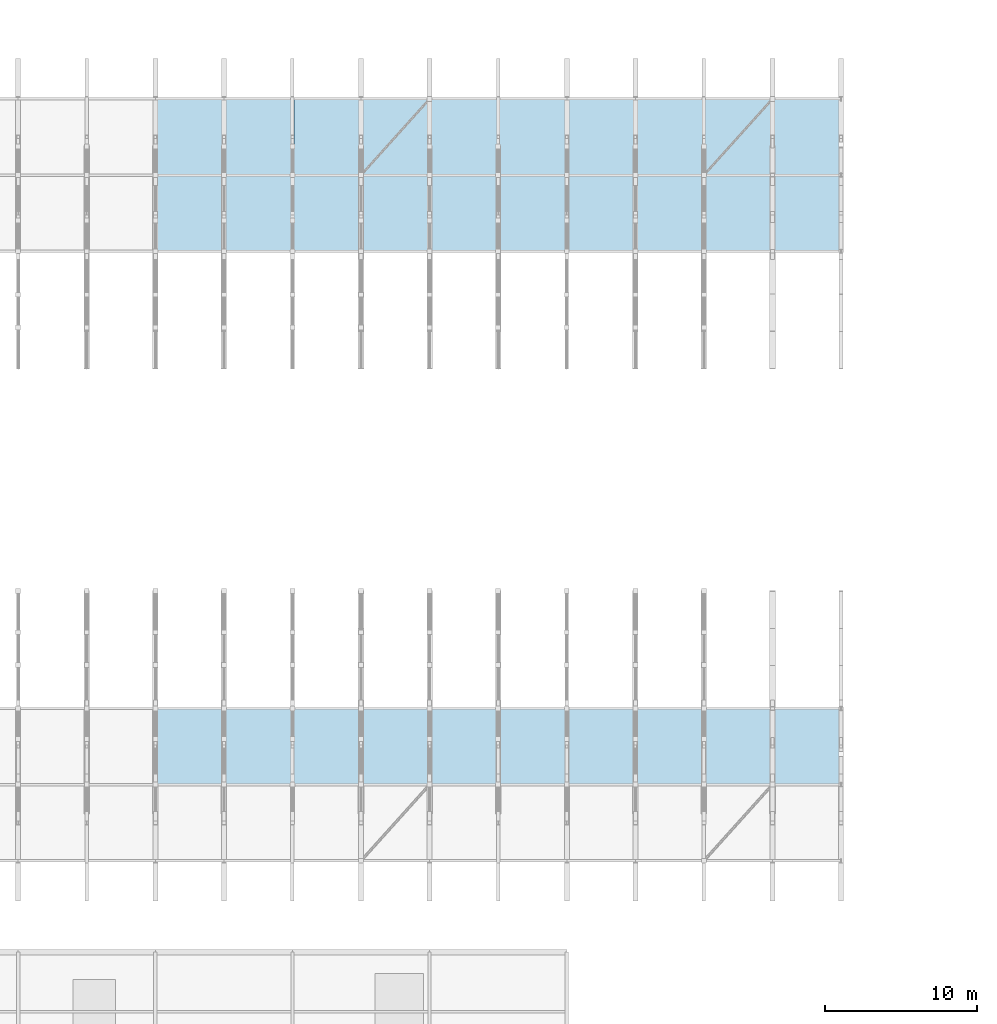
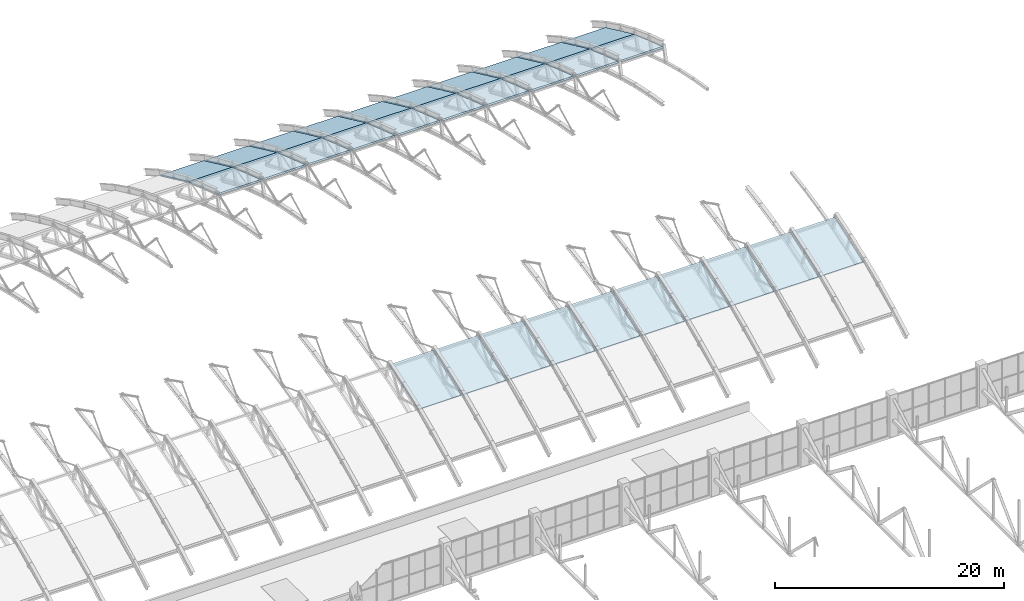
# One storey, part 88 of 103: 30 roofs.
"""IFC4 building model written with IfcOpenShell, lengths in metres."""

from ifc_helpers import new_model, si_unit, direction, frame, origin, place, context, subcontext, project, spatial, polyline, outline, extrude, material, type_object, element, save


model = new_model("IFC4")

# Units and contexts
model_context = context("Model", 3, precision=1e-05, world=origin(), true_north=direction((0.0, 1.0)))
body_context = subcontext(model_context, "Body", "Model", "MODEL_VIEW")
ifc_project = project(units=[si_unit("LENGTHUNIT", "METRE"), si_unit("AREAUNIT", "SQUARE_METRE"), si_unit("VOLUMEUNIT", "CUBIC_METRE"), si_unit("PLANEANGLEUNIT", "RADIAN"), si_unit("MASSUNIT", "GRAM", prefix="KILO")], contexts=[model_context])

# Site, building, storey
site_placement = place(None, origin())
site = spatial("IfcSite", under=ifc_project, at=site_placement, CompositionType="ELEMENT")
building_placement = place(site_placement, origin())
building = spatial("IfcBuilding", under=site, at=building_placement, Name="Cazmaro Siding Exhibition Halls", CompositionType="ELEMENT")
storey_placement = place(building_placement, frame((0.0, 0.0, 16.5)))
storey = spatial("IfcBuildingStorey", under=building, at=storey_placement, Name="L03", CompositionType="ELEMENT", Elevation=16.5)

# Roofs
ifc_material = material(Name="Standing Seam Zinc Insulated Roof Assembly", Category="steel")
roof_type = type_object("IfcRoofType", Name="RF-BARREL-01", PredefinedType="BARREL_ROOF", material=ifc_material)
for number, where, z_axis, x_axis, name in (
    (1, (126.0849609375, 74.0, 2.882080078125), (0.0, -0.327471825251, 0.94486094409), (1.0, 0.0, 0.0), "Primary Hall Standing Seam Zinc Roof Cassette RF-V1 219"),
    (2, (126.0849609375, 109.0, 4.614990234375), (0.0, 0.327471825251, 0.94486094409), (1.0, 0.0, 0.0), "Primary Hall Standing Seam Zinc Roof Cassette RF-V1 226"),
):
    element("IfcRoof", number, at=place(storey_placement, frame(where, z_axis=z_axis, x_axis=x_axis)), inside=storey, type_object=roof_type, Name=name, PredefinedType="BARREL_ROOF", context=body_context, shape_type="SweptSolid", body=[
        extrude(outline(polyline([(0.0, 0.0), (4.330078125, 0.0), (4.330078125, 5.291783972313534), (0.0, 5.291783972313534), (0.0, 0.0)])), origin(), (0.0, 0.0, -1.0), 0.159912109375),
    ])
roof_1_placement = place(storey_placement, frame((126.0849609375, 114.0, 2.882080078125), z_axis=(0.0, 0.421054050781, 0.907035548543), x_axis=(1.0, 0.0, 0.0)))
element("IfcRoof", 3, at=roof_1_placement, inside=storey, type_object=roof_type, Name="Primary Hall Standing Seam Zinc Roof Cassette RF-V1 227", PredefinedType="BARREL_ROOF", context=body_context, shape_type="SweptSolid", body=[
    extrude(outline(polyline([(0.0, 0.0), (4.330078125, 0.0), (4.330078125, 5.512463109115718), (0.0, 5.512463109115718), (0.0, 0.0)])), origin(), (0.0, 0.0, -1.0), 0.159912109375),
])
for number, where, z_axis, x_axis, name in (
    (4, (130.5849609375, 74.0, 2.882080078125), (0.0, -0.327471825251, 0.94486094409), (1.0, 0.0, 0.0), "Primary Hall Standing Seam Zinc Roof Cassette RF-V1 231"),
    (5, (130.5849609375, 109.0, 4.614990234375), (0.0, 0.327471825251, 0.94486094409), (1.0, 0.0, 0.0), "Primary Hall Standing Seam Zinc Roof Cassette RF-V1 238"),
):
    element("IfcRoof", number, at=place(storey_placement, frame(where, z_axis=z_axis, x_axis=x_axis)), inside=storey, type_object=roof_type, Name=name, PredefinedType="BARREL_ROOF", context=body_context, shape_type="SweptSolid", body=[
        extrude(outline(polyline([(0.0, 0.0), (4.330078125, 0.0), (4.330078125, 5.291783972313534), (0.0, 5.291783972313534), (0.0, 0.0)])), origin(), (0.0, 0.0, -1.0), 0.159912109375),
    ])
roof_2_placement = place(storey_placement, frame((130.5849609375, 114.0, 2.882080078125), z_axis=(0.0, 0.421054050781, 0.907035548543), x_axis=(1.0, 0.0, 0.0)))
element("IfcRoof", 6, at=roof_2_placement, inside=storey, type_object=roof_type, Name="Primary Hall Standing Seam Zinc Roof Cassette RF-V1 239", PredefinedType="BARREL_ROOF", context=body_context, shape_type="SweptSolid", body=[
    extrude(outline(polyline([(0.0, 0.0), (4.330078125, 0.0), (4.330078125, 5.512463109115718), (0.0, 5.512463109115718), (0.0, 0.0)])), origin(), (0.0, 0.0, -1.0), 0.159912109375),
])
for number, where, z_axis, x_axis, name in (
    (7, (135.0849609375, 74.0, 2.882080078125), (0.0, -0.327471825251, 0.94486094409), (1.0, 0.0, 0.0), "Primary Hall Standing Seam Zinc Roof Cassette RF-V1 243"),
    (8, (135.0849609375, 109.0, 4.614990234375), (0.0, 0.327471825251, 0.94486094409), (1.0, 0.0, 0.0), "Primary Hall Standing Seam Zinc Roof Cassette RF-V1 250"),
):
    element("IfcRoof", number, at=place(storey_placement, frame(where, z_axis=z_axis, x_axis=x_axis)), inside=storey, type_object=roof_type, Name=name, PredefinedType="BARREL_ROOF", context=body_context, shape_type="SweptSolid", body=[
        extrude(outline(polyline([(0.0, 0.0), (4.330078125, 0.0), (4.330078125, 5.291783972313534), (0.0, 5.291783972313534), (0.0, 0.0)])), origin(), (0.0, 0.0, -1.0), 0.159912109375),
    ])
roof_3_placement = place(storey_placement, frame((135.0849609375, 114.0, 2.882080078125), z_axis=(0.0, 0.421054050781, 0.907035548543), x_axis=(1.0, 0.0, 0.0)))
element("IfcRoof", 9, at=roof_3_placement, inside=storey, type_object=roof_type, Name="Primary Hall Standing Seam Zinc Roof Cassette RF-V1 251", PredefinedType="BARREL_ROOF", context=body_context, shape_type="SweptSolid", body=[
    extrude(outline(polyline([(0.0, 0.0), (4.330078125, 0.0), (4.330078125, 5.512463109115718), (0.0, 5.512463109115718), (0.0, 0.0)])), origin(), (0.0, 0.0, -1.0), 0.159912109375),
])
for number, where, z_axis, x_axis, name in (
    (10, (139.5849609375, 74.0, 2.882080078125), (0.0, -0.327471825251, 0.94486094409), (1.0, 0.0, 0.0), "Primary Hall Standing Seam Zinc Roof Cassette RF-V1 255"),
    (11, (139.5849609375, 109.0, 4.614990234375), (0.0, 0.327471825251, 0.94486094409), (1.0, 0.0, 0.0), "Primary Hall Standing Seam Zinc Roof Cassette RF-V1 262"),
):
    element("IfcRoof", number, at=place(storey_placement, frame(where, z_axis=z_axis, x_axis=x_axis)), inside=storey, type_object=roof_type, Name=name, PredefinedType="BARREL_ROOF", context=body_context, shape_type="SweptSolid", body=[
        extrude(outline(polyline([(0.0, 0.0), (4.330078125, 0.0), (4.330078125, 5.291783972313534), (0.0, 5.291783972313534), (0.0, 0.0)])), origin(), (0.0, 0.0, -1.0), 0.159912109375),
    ])
roof_4_placement = place(storey_placement, frame((139.5849609375, 114.0, 2.882080078125), z_axis=(0.0, 0.421054050781, 0.907035548543), x_axis=(1.0, 0.0, 0.0)))
element("IfcRoof", 12, at=roof_4_placement, inside=storey, type_object=roof_type, Name="Primary Hall Standing Seam Zinc Roof Cassette RF-V1 263", PredefinedType="BARREL_ROOF", context=body_context, shape_type="SweptSolid", body=[
    extrude(outline(polyline([(0.0, 0.0), (4.330078125, 0.0), (4.330078125, 5.512463109115718), (0.0, 5.512463109115718), (0.0, 0.0)])), origin(), (0.0, 0.0, -1.0), 0.159912109375),
])
for number, where, z_axis, x_axis, name in (
    (13, (144.0849609375, 74.0, 2.882080078125), (0.0, -0.327471825251, 0.94486094409), (1.0, 0.0, 0.0), "Primary Hall Standing Seam Zinc Roof Cassette RF-V1 267"),
    (14, (144.0849609375, 109.0, 4.614990234375), (0.0, 0.327471825251, 0.94486094409), (1.0, 0.0, 0.0), "Primary Hall Standing Seam Zinc Roof Cassette RF-V1 274"),
):
    element("IfcRoof", number, at=place(storey_placement, frame(where, z_axis=z_axis, x_axis=x_axis)), inside=storey, type_object=roof_type, Name=name, PredefinedType="BARREL_ROOF", context=body_context, shape_type="SweptSolid", body=[
        extrude(outline(polyline([(0.0, 0.0), (4.330078125, 0.0), (4.330078125, 5.291783972313534), (0.0, 5.291783972313534), (0.0, 0.0)])), origin(), (0.0, 0.0, -1.0), 0.159912109375),
    ])
roof_5_placement = place(storey_placement, frame((144.0849609375, 114.0, 2.882080078125), z_axis=(0.0, 0.421054050781, 0.907035548543), x_axis=(1.0, 0.0, 0.0)))
element("IfcRoof", 15, at=roof_5_placement, inside=storey, type_object=roof_type, Name="Primary Hall Standing Seam Zinc Roof Cassette RF-V1 275", PredefinedType="BARREL_ROOF", context=body_context, shape_type="SweptSolid", body=[
    extrude(outline(polyline([(0.0, 0.0), (4.330078125, 0.0), (4.330078125, 5.512463109115718), (0.0, 5.512463109115718), (0.0, 0.0)])), origin(), (0.0, 0.0, -1.0), 0.159912109375),
])
for number, where, z_axis, x_axis, name in (
    (16, (148.5849609375, 74.0, 2.882080078125), (0.0, -0.327471825251, 0.94486094409), (1.0, 0.0, 0.0), "Primary Hall Standing Seam Zinc Roof Cassette RF-V1 279"),
    (17, (148.5849609375, 109.0, 4.614990234375), (0.0, 0.327471825251, 0.94486094409), (1.0, 0.0, 0.0), "Primary Hall Standing Seam Zinc Roof Cassette RF-V1 286"),
):
    element("IfcRoof", number, at=place(storey_placement, frame(where, z_axis=z_axis, x_axis=x_axis)), inside=storey, type_object=roof_type, Name=name, PredefinedType="BARREL_ROOF", context=body_context, shape_type="SweptSolid", body=[
        extrude(outline(polyline([(0.0, 0.0), (4.330078125, 0.0), (4.330078125, 5.291783972313534), (0.0, 5.291783972313534), (0.0, 0.0)])), origin(), (0.0, 0.0, -1.0), 0.159912109375),
    ])
roof_6_placement = place(storey_placement, frame((148.5849609375, 114.0, 2.882080078125), z_axis=(0.0, 0.421054050781, 0.907035548543), x_axis=(1.0, 0.0, 0.0)))
element("IfcRoof", 18, at=roof_6_placement, inside=storey, type_object=roof_type, Name="Primary Hall Standing Seam Zinc Roof Cassette RF-V1 287", PredefinedType="BARREL_ROOF", context=body_context, shape_type="SweptSolid", body=[
    extrude(outline(polyline([(0.0, 0.0), (4.330078125, 0.0), (4.330078125, 5.512463109115718), (0.0, 5.512463109115718), (0.0, 0.0)])), origin(), (0.0, 0.0, -1.0), 0.159912109375),
])
for number, where, z_axis, x_axis, name in (
    (19, (153.0849609375, 74.0, 2.882080078125), (0.0, -0.327471825251, 0.94486094409), (1.0, 0.0, 0.0), "Primary Hall Standing Seam Zinc Roof Cassette RF-V1 291"),
    (20, (153.0849609375, 109.0, 4.614990234375), (0.0, 0.327471825251, 0.94486094409), (1.0, 0.0, 0.0), "Primary Hall Standing Seam Zinc Roof Cassette RF-V1 298"),
):
    element("IfcRoof", number, at=place(storey_placement, frame(where, z_axis=z_axis, x_axis=x_axis)), inside=storey, type_object=roof_type, Name=name, PredefinedType="BARREL_ROOF", context=body_context, shape_type="SweptSolid", body=[
        extrude(outline(polyline([(0.0, 0.0), (4.330078125, 0.0), (4.330078125, 5.291783972313534), (0.0, 5.291783972313534), (0.0, 0.0)])), origin(), (0.0, 0.0, -1.0), 0.159912109375),
    ])
roof_7_placement = place(storey_placement, frame((153.0849609375, 114.0, 2.882080078125), z_axis=(0.0, 0.421054050781, 0.907035548543), x_axis=(1.0, 0.0, 0.0)))
element("IfcRoof", 21, at=roof_7_placement, inside=storey, type_object=roof_type, Name="Primary Hall Standing Seam Zinc Roof Cassette RF-V1 299", PredefinedType="BARREL_ROOF", context=body_context, shape_type="SweptSolid", body=[
    extrude(outline(polyline([(0.0, 0.0), (4.330078125, 0.0), (4.330078125, 5.512463109115718), (0.0, 5.512463109115718), (0.0, 0.0)])), origin(), (0.0, 0.0, -1.0), 0.159912109375),
])
for number, where, z_axis, x_axis, name in (
    (22, (157.5849609375, 74.0, 2.882080078125), (0.0, -0.327471825251, 0.94486094409), (1.0, 0.0, 0.0), "Primary Hall Standing Seam Zinc Roof Cassette RF-V1 303"),
    (23, (157.5849609375, 109.0, 4.614990234375), (0.0, 0.327471825251, 0.94486094409), (1.0, 0.0, 0.0), "Primary Hall Standing Seam Zinc Roof Cassette RF-V1 310"),
):
    element("IfcRoof", number, at=place(storey_placement, frame(where, z_axis=z_axis, x_axis=x_axis)), inside=storey, type_object=roof_type, Name=name, PredefinedType="BARREL_ROOF", context=body_context, shape_type="SweptSolid", body=[
        extrude(outline(polyline([(0.0, 0.0), (4.330078125, 0.0), (4.330078125, 5.291783972313534), (0.0, 5.291783972313534), (0.0, 0.0)])), origin(), (0.0, 0.0, -1.0), 0.159912109375),
    ])
roof_8_placement = place(storey_placement, frame((157.5849609375, 114.0, 2.882080078125), z_axis=(0.0, 0.421054050781, 0.907035548543), x_axis=(1.0, 0.0, 0.0)))
element("IfcRoof", 24, at=roof_8_placement, inside=storey, type_object=roof_type, Name="Primary Hall Standing Seam Zinc Roof Cassette RF-V1 311", PredefinedType="BARREL_ROOF", context=body_context, shape_type="SweptSolid", body=[
    extrude(outline(polyline([(0.0, 0.0), (4.330078125, 0.0), (4.330078125, 5.512463109115718), (0.0, 5.512463109115718), (0.0, 0.0)])), origin(), (0.0, 0.0, -1.0), 0.159912109375),
])
for number, where, z_axis, x_axis, name in (
    (25, (162.0849609375, 74.0, 2.882080078125), (0.0, -0.327471825251, 0.94486094409), (1.0, 0.0, 0.0), "Primary Hall Standing Seam Zinc Roof Cassette RF-V1 315"),
    (26, (162.0849609375, 109.0, 4.614990234375), (0.0, 0.327471825251, 0.94486094409), (1.0, 0.0, 0.0), "Primary Hall Standing Seam Zinc Roof Cassette RF-V1 322"),
):
    element("IfcRoof", number, at=place(storey_placement, frame(where, z_axis=z_axis, x_axis=x_axis)), inside=storey, type_object=roof_type, Name=name, PredefinedType="BARREL_ROOF", context=body_context, shape_type="SweptSolid", body=[
        extrude(outline(polyline([(0.0, 0.0), (4.330078125, 0.0), (4.330078125, 5.291783972313534), (0.0, 5.291783972313534), (0.0, 0.0)])), origin(), (0.0, 0.0, -1.0), 0.159912109375),
    ])
roof_9_placement = place(storey_placement, frame((162.0849609375, 114.0, 2.882080078125), z_axis=(0.0, 0.421054050781, 0.907035548543), x_axis=(1.0, 0.0, 0.0)))
element("IfcRoof", 27, at=roof_9_placement, inside=storey, type_object=roof_type, Name="Primary Hall Standing Seam Zinc Roof Cassette RF-V1 323", PredefinedType="BARREL_ROOF", context=body_context, shape_type="SweptSolid", body=[
    extrude(outline(polyline([(0.0, 0.0), (4.330078125, 0.0), (4.330078125, 5.512463109115718), (0.0, 5.512463109115718), (0.0, 0.0)])), origin(), (0.0, 0.0, -1.0), 0.159912109375),
])
for number, where, z_axis, x_axis, name in (
    (28, (166.5849609375, 74.0, 2.882080078125), (0.0, -0.327471825251, 0.94486094409), (1.0, 0.0, 0.0), "Primary Hall Standing Seam Zinc Roof Cassette RF-V1 327"),
    (29, (166.5849609375, 109.0, 4.614990234375), (0.0, 0.327471825251, 0.94486094409), (1.0, 0.0, 0.0), "Primary Hall Standing Seam Zinc Roof Cassette RF-V1 334"),
):
    element("IfcRoof", number, at=place(storey_placement, frame(where, z_axis=z_axis, x_axis=x_axis)), inside=storey, type_object=roof_type, Name=name, PredefinedType="BARREL_ROOF", context=body_context, shape_type="SweptSolid", body=[
        extrude(outline(polyline([(0.0, 0.0), (4.330078125, 0.0), (4.330078125, 5.291783972313534), (0.0, 5.291783972313534), (0.0, 0.0)])), origin(), (0.0, 0.0, -1.0), 0.159912109375),
    ])
roof_10_placement = place(storey_placement, frame((166.5849609375, 114.0, 2.882080078125), z_axis=(0.0, 0.421054050781, 0.907035548543), x_axis=(1.0, 0.0, 0.0)))
element("IfcRoof", 30, at=roof_10_placement, inside=storey, type_object=roof_type, Name="Primary Hall Standing Seam Zinc Roof Cassette RF-V1 335", PredefinedType="BARREL_ROOF", context=body_context, shape_type="SweptSolid", body=[
    extrude(outline(polyline([(0.0, 0.0), (4.330078125, 0.0), (4.330078125, 5.512463109115718), (0.0, 5.512463109115718), (0.0, 0.0)])), origin(), (0.0, 0.0, -1.0), 0.159912109375),
])

save(model, "model.ifc")
